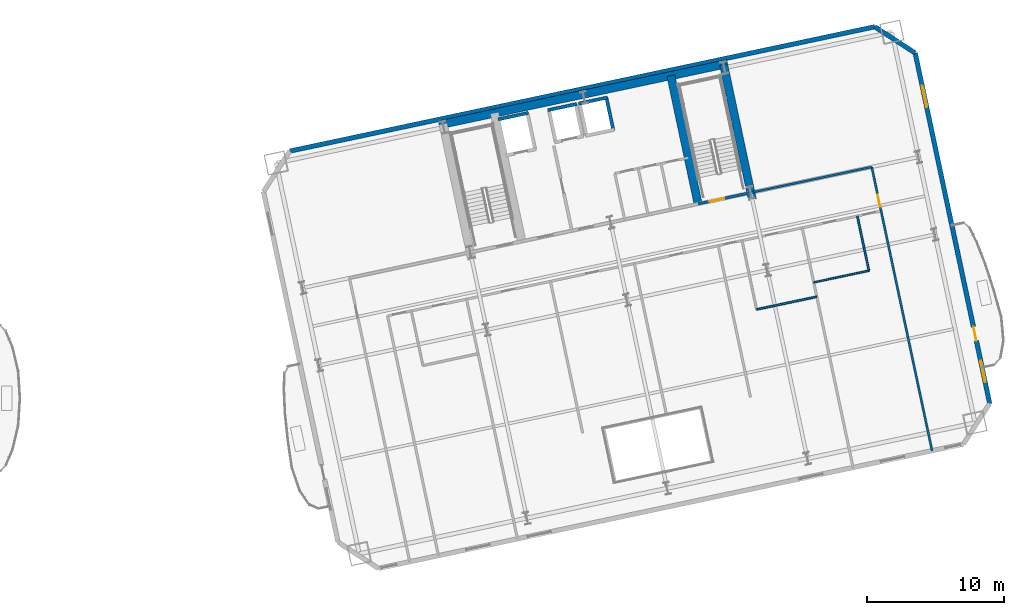
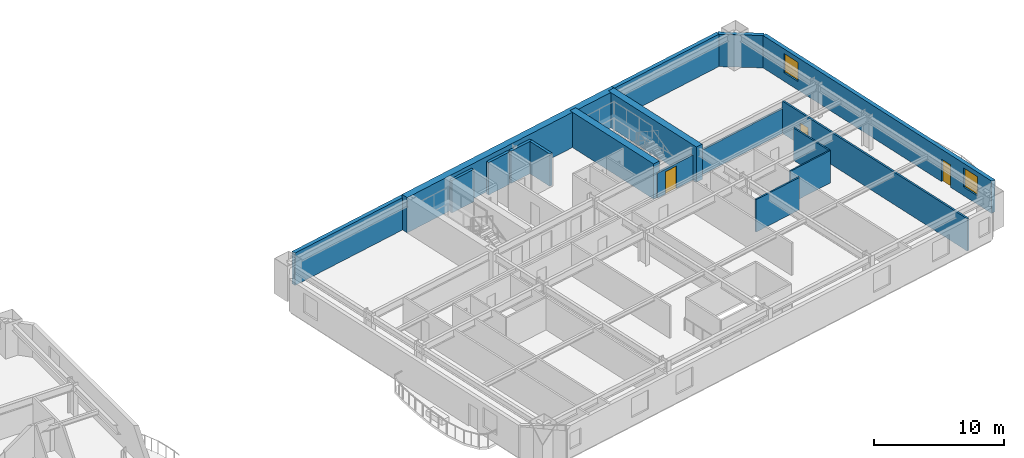
# One storey, part 9 of 16: 16 walls, 3 doors, 2 windows, 5 openings.
"""IFC4 building model written with IfcOpenShell, lengths in metres."""

from ifc_helpers import new_model, si_unit, direction, frame, frame_2d, origin, place, context, subcontext, project, spatial, rectangle, extrude, material, layer, layer_set, type_object, element, fill, save


model = new_model("IFC4")

# Units and contexts
model_context = context("Model", 3, precision=1e-05, world=origin(), true_north=direction((0.0, 1.0)))
body_context = subcontext(model_context, "Body", "Model", "MODEL_VIEW")
ifc_project = project(units=[si_unit("LENGTHUNIT", "METRE"), si_unit("AREAUNIT", "SQUARE_METRE"), si_unit("VOLUMEUNIT", "CUBIC_METRE"), si_unit("PLANEANGLEUNIT", "RADIAN"), si_unit("MASSUNIT", "GRAM", prefix="KILO")], contexts=[model_context])

# Site, building, storey
site_placement = place(None, origin())
site = spatial("IfcSite", under=ifc_project, at=site_placement, CompositionType="ELEMENT")
building_placement = place(site_placement, origin())
building = spatial("IfcBuilding", under=site, at=building_placement, Name="Haevon Station Towers", CompositionType="ELEMENT")
storey_placement = place(building_placement, frame((0.0, 0.0, 57.0)))
storey = spatial("IfcBuildingStorey", under=building, at=storey_placement, Name="L14", CompositionType="ELEMENT", Elevation=57.0)

# Wall, opening, door
ifc_material_1 = material(Name="Gypsum board on steel stud", Category="steel")
ifc_layer_1 = layer(ifc_material_1, 0.199951171875)
ifc_layer_set_1 = layer_set([ifc_layer_1], Name="Gypsum board on steel stud")
wall_type_1 = type_object("IfcWallType", Name="WL-COR200", PredefinedType="PARTITIONING", material=ifc_layer_set_1)
wall_1_placement = place(storey_placement, frame((115.4296875, 40.9873046875, 0.0), z_axis=(0.0, 0.0, 1.0), x_axis=(0.978146596989, 0.207916413008, 0.0)))
wall_1 = element("IfcWall", 1, at=wall_1_placement, inside=storey, type_object=wall_type_1, Name="WL-ST-ST4-L14", PredefinedType="PARTITIONING", context=body_context, shape_type="SweptSolid", body=[
    extrude(rectangle(XDim=3.9501953125, YDim=0.199951171875, at=frame_2d((1.97509765625, 0.0))), origin(), (0.0, 0.0, 1.0), 2.330078125),
])
opening_1_placement = place(wall_1_placement, frame((0.85009765625, 0.0, 0.0)))
opening_1 = element("IfcOpeningElement", 2, at=opening_1_placement, cuts=wall_1, Name="Opening DR-ST-ST4-L14", PredefinedType="OPENING", context=body_context, shape_type="SweptSolid", body=[
    extrude(rectangle(XDim=1.1201171875, YDim=2.10009765625, at=frame_2d((0.56005859375, 1.050048828125))), frame((0.0, 0.10986328125, 0.0), z_axis=(0.0, -1.0, 0.0), x_axis=(1.0, 0.0, 0.0)), (0.0, 0.0, 1.0), 0.219970703125),
])
ifc_material_2 = material(Name="Engineered oak timber", Category="wood")
door_type_1 = type_object("IfcDoorType", Name="DR-ST-1120", OperationType="NOTDEFINED", PredefinedType="DOOR", material=ifc_material_2)
door_1_placement = place(opening_1_placement, origin())
door_1 = element("IfcDoor", 3, at=door_1_placement, inside=storey, type_object=door_type_1, Name="L14 Escape Stair ST4 Fire Door", OperationType="SINGLE_SWING_RIGHT", OverallHeight=2.10009765625, OverallWidth=1.1201171875, PredefinedType="DOOR", context=body_context, shape_type="SweptSolid", body=[
    extrude(rectangle(XDim=1.1201171875, YDim=2.10009765625, at=frame_2d((0.56005859375, 1.050048828125))), frame((0.0, 0.02490234375, 0.0), z_axis=(0.0, -1.0, 0.0), x_axis=(1.0, 0.0, 0.0)), (0.0, 0.0, 1.0), 0.050048828125),
])
fill(opening_1, door_1)

# Walls
ifc_material_3 = material(Name="Concrete C60/75", Category="concrete")
ifc_layer_2 = layer(ifc_material_3, 0.60009765625)
ifc_layer_set_2 = layer_set([ifc_layer_2], Name="Concrete C60/75")
wall_type_2 = type_object("IfcWallType", Name="WL-CR600", PredefinedType="SHEAR", material=ifc_layer_set_2)
wall_2_placement = place(storey_placement, frame((96.462890625, 46.770263671875, 0.0), z_axis=(0.0, 0.0, 1.0), x_axis=(0.978147272959, 0.207913232873, 0.0)))
element("IfcWall", 4, at=wall_2_placement, inside=storey, type_object=wall_type_2, Name="WL-T2CR-L14-N", PredefinedType="SHEAR", context=body_context, shape_type="SweptSolid", body=[
    extrude(rectangle(XDim=21.60009765625, YDim=0.60009765625, at=frame_2d((10.800048828125, 0.0))), origin(), (0.0, 0.0, 1.0), 3.300048828125),
])
wall_3_placement = place(storey_placement, frame((119.401611328125, 41.2998046875, 0.0), z_axis=(0.0, 0.0, 1.0), x_axis=(-0.207904342798, 0.978149162575, 0.0)))
element("IfcWall", 5, at=wall_3_placement, inside=storey, type_object=wall_type_2, Name="WL-T2CR-L14-E", PredefinedType="SHEAR", context=body_context, shape_type="SweptSolid", body=[
    extrude(rectangle(XDim=10.1201171875, YDim=0.60009765625, at=frame_2d((5.06005859375, 0.0))), origin(), (0.0, 0.0, 1.0), 3.300048828125),
])
wall_4_placement = place(storey_placement, frame((115.4296875, 40.9873046875, 0.0), z_axis=(0.0, 0.0, 1.0), x_axis=(-0.207903162969, 0.978149413345, 0.0)))
element("IfcWall", 6, at=wall_4_placement, inside=storey, type_object=wall_type_2, Name="WL-T2CR-L14-M2", PredefinedType="SHEAR", context=body_context, shape_type="SweptSolid", body=[
    extrude(rectangle(XDim=9.599853515625, YDim=0.60009765625, at=frame_2d((4.7998046875, 0.0))), origin(), (0.0, 0.0, 1.0), 3.300048828125),
])
ifc_material_4 = material(Name="Precast concrete C45/55", Category="concrete")
ifc_layer_3 = layer(ifc_material_4, 0.340087890625)
ifc_layer_set_3 = layer_set([ifc_layer_3], Name="Precast concrete C45/55")
wall_type_3 = type_object("IfcWallType", Name="WL-EXT-PIER340", PredefinedType="SOLIDWALL", material=ifc_layer_set_3)
wall_5_placement = place(storey_placement, frame((85.5224609375, 44.853759765625, 0.0), z_axis=(0.0, 0.0, 1.0), x_axis=(0.978147913223, 0.207910220665, 0.0)))
element("IfcWall", 7, at=wall_5_placement, inside=storey, type_object=wall_type_3, Name="WL-T2-L14-N", PredefinedType="SOLIDWALL", context=body_context, shape_type="SweptSolid", body=[
    extrude(rectangle(XDim=43.7998046875, YDim=0.340087890625, at=frame_2d((21.89990234375, 0.0))), origin(), (0.0, 0.0, 1.0), 3.030029296875),
])
wall_6_placement = place(storey_placement, frame((128.365234375, 53.960205078125, 0.0), z_axis=(0.0, 0.0, 1.0), x_axis=(0.838672309694, -0.544636352948, 0.0)))
element("IfcWall", 8, at=wall_6_placement, inside=storey, type_object=wall_type_3, Name="WL-T2-L14-NEC", PredefinedType="SOLIDWALL", context=body_context, shape_type="SweptSolid", body=[
    extrude(rectangle(XDim=3.535400390625, YDim=0.340087890625, at=frame_2d((1.767578125, 0.0))), origin(), (0.0, 0.0, 1.0), 3.030029296875),
])

# Wall, openings, door, windows
wall_7_placement = place(storey_placement, frame((131.330322265625, 52.03466796875, 0.0), z_axis=(0.0, 0.0, 1.0), x_axis=(0.207913593786, -0.978147196244, 0.0)))
wall_7 = element("IfcWall", 9, at=wall_7_placement, inside=storey, type_object=wall_type_3, Name="WL-T2-L14-E", PredefinedType="SOLIDWALL", context=body_context, shape_type="SweptSolid", body=[
    extrude(rectangle(XDim=26.250244140625, YDim=0.340087890625, at=frame_2d((13.125, 0.0))), origin(), (0.0, 0.0, 1.0), 3.030029296875),
])
opening_2_placement = place(wall_7_placement, frame((20.5, 0.0, 0.0)))
opening_2 = element("IfcOpeningElement", 10, at=opening_2_placement, cuts=wall_7, Name="Opening DR-T2-SCAL-L14-E", PredefinedType="OPENING", context=body_context, shape_type="SweptSolid", body=[
    extrude(rectangle(XDim=1.050048828125, YDim=2.10009765625, at=frame_2d((0.52490234375, 1.050048828125))), frame((0.0, 0.179931640625, 0.0), z_axis=(0.0, -1.0, 0.0), x_axis=(1.0, 0.0, 0.0)), (0.0, 0.0, 1.0), 0.360107421875),
])
opening_3_placement = place(wall_7_placement, frame((2.4462890625, 0.0, 0.800048828125)))
opening_3 = element("IfcOpeningElement", 11, at=opening_3_placement, cuts=wall_7, Name="Opening WN-END160", PredefinedType="OPENING", context=body_context, shape_type="SweptSolid", body=[
    extrude(rectangle(XDim=1.60009765625, YDim=1.800048828125, at=frame_2d((0.800048828125, 0.89990234375))), frame((0.0, 0.179931640625, 0.0), z_axis=(0.0, -1.0, 0.0), x_axis=(1.0, 0.0, 0.0)), (0.0, 0.0, 1.0), 0.360107421875),
])
opening_4_placement = place(wall_7_placement, frame((23.02685546875, 0.0, 0.800048828125)))
opening_4 = element("IfcOpeningElement", 12, at=opening_4_placement, cuts=wall_7, Name="Opening WN-END160", PredefinedType="OPENING", context=body_context, shape_type="SweptSolid", body=[
    extrude(rectangle(XDim=1.60009765625, YDim=1.800048828125, at=frame_2d((0.800048828125, 0.89990234375))), frame((0.0, 0.179931640625, 0.0), z_axis=(0.0, -1.0, 0.0), x_axis=(1.0, 0.0, 0.0)), (0.0, 0.0, 1.0), 0.360107421875),
])
ifc_material_5 = material(Name="Thermally broken anodised aluminium and laminated safety glass", Category="aluminium")
door_type_2 = type_object("IfcDoorType", Name="DR-BALC-1050", OperationType="NOTDEFINED", PredefinedType="DOOR", material=ifc_material_5)
door_2_placement = place(opening_2_placement, origin())
door_2 = element("IfcDoor", 13, at=door_2_placement, inside=storey, type_object=door_type_2, Name="Tower 2 L14 East Scalloped Balcony Door", OperationType="SINGLE_SWING_LEFT", OverallHeight=2.10009765625, OverallWidth=1.050048828125, PredefinedType="DOOR", context=body_context, shape_type="SweptSolid", body=[
    extrude(rectangle(XDim=1.050048828125, YDim=2.10009765625, at=frame_2d((0.52490234375, 1.050048828125))), frame((0.0, 0.02490234375, 0.0), z_axis=(0.0, -1.0, 0.0), x_axis=(1.0, 0.0, 0.0)), (0.0, 0.0, 1.0), 0.050048828125),
])
fill(opening_2, door_2)
ifc_material_6 = material(Name="Low-E triple glazing in thermally broken aluminium", Category="aluminium")
window_type = type_object("IfcWindowType", Name="WN-END160", PartitioningType="SINGLE_PANEL", PredefinedType="WINDOW", material=ifc_material_6)
window_1_placement = place(opening_3_placement, origin())
window_1 = element("IfcWindow", 14, at=window_1_placement, inside=storey, type_object=window_type, Name="WN-T2-L14-E01", OverallHeight=1.800048828125, OverallWidth=1.60009765625, PartitioningType="SINGLE_PANEL", PredefinedType="WINDOW", context=body_context, shape_type="SweptSolid", body=[
    extrude(rectangle(XDim=1.60009765625, YDim=1.800048828125, at=frame_2d((0.800048828125, 0.89990234375))), frame((0.0, 0.030029296875, 0.0), z_axis=(0.0, -1.0, 0.0), x_axis=(1.0, 0.0, 0.0)), (0.0, 0.0, 1.0), 0.06005859375),
])
fill(opening_3, window_1)
window_2_placement = place(opening_4_placement, origin())
window_2 = element("IfcWindow", 15, at=window_2_placement, inside=storey, type_object=window_type, Name="WN-T2-L14-E02", OverallHeight=1.800048828125, OverallWidth=1.60009765625, PartitioningType="SINGLE_PANEL", PredefinedType="WINDOW", context=body_context, shape_type="SweptSolid", body=[
    extrude(rectangle(XDim=1.60009765625, YDim=1.800048828125, at=frame_2d((0.800048828125, 0.89990234375))), frame((0.0, 0.030029296875, 0.0), z_axis=(0.0, -1.0, 0.0), x_axis=(1.0, 0.0, 0.0)), (0.0, 0.0, 1.0), 0.06005859375),
])
fill(opening_4, window_2)

# Walls
ifc_layer_4 = layer(ifc_material_1, 0.125)
ifc_layer_set_4 = layer_set([ifc_layer_4], Name="Gypsum board on steel stud")
wall_type_4 = type_object("IfcWallType", Name="WL-PRT125", PredefinedType="PARTITIONING", material=ifc_layer_set_4)
wall_8_placement = place(storey_placement, frame((123.8984375, 35.23681640625, 0.0), z_axis=(0.0, 0.0, 1.0), x_axis=(0.978146085238, 0.207918820535, 0.0)))
element("IfcWall", 16, at=wall_8_placement, inside=storey, type_object=wall_type_4, Name="WL-T2PT-L14-21", PredefinedType="PARTITIONING", context=body_context, shape_type="SweptSolid", body=[
    extrude(rectangle(XDim=4.132080078125, YDim=0.125, at=frame_2d((2.06591796875, 0.0))), origin(), (0.0, 0.0, 1.0), 3.030029296875),
])
ifc_layer_5 = layer(ifc_material_1, 0.139892578125)
ifc_layer_set_5 = layer_set([ifc_layer_5], Name="Gypsum board on steel stud")
wall_type_5 = type_object("IfcWallType", Name="WL-PRT140", PredefinedType="PARTITIONING", material=ifc_layer_set_5)
wall_9_placement = place(storey_placement, frame((119.717529296875, 33.25537109375, 0.0), z_axis=(0.0, 0.0, 1.0), x_axis=(0.978141617635, 0.207939837095, 0.0)))
element("IfcWall", 17, at=wall_9_placement, inside=storey, type_object=wall_type_5, Name="WL-T2PT-L14-18", PredefinedType="PARTITIONING", context=body_context, shape_type="SweptSolid", body=[
    extrude(rectangle(XDim=4.50146484375, YDim=0.139892578125, at=frame_2d((2.250732421875, 0.0))), origin(), (0.0, 0.0, 1.0), 3.030029296875),
])
wall_10_placement = place(storey_placement, frame((127.940185546875, 36.095947265625, 0.0), z_axis=(0.0, 0.0, 1.0), x_axis=(-0.207949518415, 0.978139559465, 0.0)))
element("IfcWall", 18, at=wall_10_placement, inside=storey, type_object=wall_type_5, Name="WL-T2PT-L14-22", PredefinedType="PARTITIONING", context=body_context, shape_type="SweptSolid", body=[
    extrude(rectangle(XDim=4.085693359375, YDim=0.139892578125, at=frame_2d((2.04296875, 0.0))), origin(), (0.0, 0.0, 1.0), 3.030029296875),
])
ifc_layer_6 = layer(ifc_material_1, 0.159912109375)
ifc_layer_set_6 = layer_set([ifc_layer_6], Name="Gypsum board on steel stud")
wall_type_6 = type_object("IfcWallType", Name="WL-PRT160", PredefinedType="PARTITIONING", material=ifc_layer_set_6)
wall_11_placement = place(storey_placement, frame((119.29345703125, 41.80859375, 0.0), z_axis=(0.0, 0.0, 1.0), x_axis=(0.978148085545, 0.207909409948, 0.0)))
element("IfcWall", 19, at=wall_11_placement, inside=storey, type_object=wall_type_6, Name="WL-T2PT-L14-03", PredefinedType="PARTITIONING", context=body_context, shape_type="SweptSolid", body=[
    extrude(rectangle(XDim=9.050048828125, YDim=0.159912109375, at=frame_2d((4.52490234375, 0.0))), origin(), (0.0, 0.0, 1.0), 2.330078125),
])

# Wall, opening, door
wall_12_placement = place(storey_placement, frame((132.563720703125, 22.904541015625, 0.0), z_axis=(0.0, 0.0, 1.0), x_axis=(-0.207904649693, 0.978149097345, 0.0)))
wall_12 = element("IfcWall", 20, at=wall_12_placement, inside=storey, type_object=wall_type_6, Name="WL-T2PT-L14-05", PredefinedType="PARTITIONING", context=body_context, shape_type="SweptSolid", body=[
    extrude(rectangle(XDim=21.25, YDim=0.159912109375, at=frame_2d((10.625, 0.0))), origin(), (0.0, 0.0, 1.0), 3.030029296875),
])
opening_5_placement = place(wall_12_placement, frame((18.27001953125, 0.0, 0.0)))
opening_5 = element("IfcOpeningElement", 21, at=opening_5_placement, cuts=wall_12, Name="Opening DR-WL-T2PT-L14-05-01", PredefinedType="OPENING", context=body_context, shape_type="SweptSolid", body=[
    extrude(rectangle(XDim=0.89990234375, YDim=2.050048828125, at=frame_2d((0.449951171875, 1.02490234375))), frame((0.0, 0.08984375, 0.0), z_axis=(0.0, -1.0, 0.0), x_axis=(1.0, 0.0, 0.0)), (0.0, 0.0, 1.0), 0.179931640625),
])
door_type_3 = type_object("IfcDoorType", Name="DR-INT-900", OperationType="NOTDEFINED", PredefinedType="DOOR", material=ifc_material_2)
door_3_placement = place(opening_5_placement, origin())
door_3 = element("IfcDoor", 22, at=door_3_placement, inside=storey, type_object=door_type_3, Name="L14 Tower 2 Room Door 5-1", OperationType="SINGLE_SWING_LEFT", OverallHeight=2.050048828125, OverallWidth=0.89990234375, PredefinedType="DOOR", context=body_context, shape_type="SweptSolid", body=[
    extrude(rectangle(XDim=0.89990234375, YDim=2.050048828125, at=frame_2d((0.449951171875, 1.02490234375))), frame((0.0, 0.02490234375, 0.0), z_axis=(0.0, -1.0, 0.0), x_axis=(1.0, 0.0, 0.0)), (0.0, 0.0, 1.0), 0.050048828125),
])
fill(opening_5, door_3)

# Walls
ifc_material_7 = material(Name="Concrete C40/50", Category="concrete")
ifc_layer_7 = layer(ifc_material_7, 0.239990234375)
ifc_layer_set_7 = layer_set([ifc_layer_7], Name="Concrete C40/50")
wall_type_7 = type_object("IfcWallType", Name="WL-SHF240", PredefinedType="PARTITIONING", material=ifc_layer_set_7)
wall_13_placement = place(storey_placement, frame((100.79248046875, 47.179443359375, 0.0), z_axis=(0.0, 0.0, 1.0), x_axis=(0.978162968872, 0.207839376268, 0.0)))
element("IfcWall", 23, at=wall_13_placement, inside=storey, type_object=wall_type_7, Name="WL-SHF-FL2-L14-N", PredefinedType="PARTITIONING", context=body_context, shape_type="SweptSolid", body=[
    extrude(rectangle(XDim=2.260009765625, YDim=0.239990234375, at=frame_2d((1.1298828125, 0.0))), origin(), (0.0, 0.0, 1.0), 3.030029296875),
])
for number, where, z_axis, x_axis, name in (
    (24, (104.432373046875, 47.850830078125, 0.0), (0.0, 0.0, 1.0), (0.978158276388, 0.207861459473, 0.0), "WL-SHF-PL7-L14-N"),
    (25, (106.68212890625, 48.3291015625, 0.0), (0.0, 0.0, 1.0), (0.978158276388, 0.207861459473, 0.0), "WL-SHF-PL8-L14-N"),
):
    element("IfcWall", number, at=place(storey_placement, frame(where, z_axis=z_axis, x_axis=x_axis)), inside=storey, type_object=wall_type_7, Name=name, PredefinedType="PARTITIONING", context=body_context, shape_type="SweptSolid", body=[
        extrude(rectangle(XDim=2.159912109375, YDim=0.239990234375, at=frame_2d((1.080078125, 0.0))), origin(), (0.0, 0.0, 1.0), 3.030029296875),
    ])
wall_14_placement = place(storey_placement, frame((109.2158203125, 46.413818359375, 0.0), z_axis=(0.0, 0.0, 1.0), x_axis=(-0.207917150959, 0.978146440129, 0.0)))
element("IfcWall", 26, at=wall_14_placement, inside=storey, type_object=wall_type_7, Name="WL-SHF-PL8-L14-E", PredefinedType="PARTITIONING", context=body_context, shape_type="SweptSolid", body=[
    extrude(rectangle(XDim=2.400146484375, YDim=0.239990234375, at=frame_2d((1.2001953125, 0.0))), origin(), (0.0, 0.0, 1.0), 3.030029296875),
])

save(model, "model.ifc")
